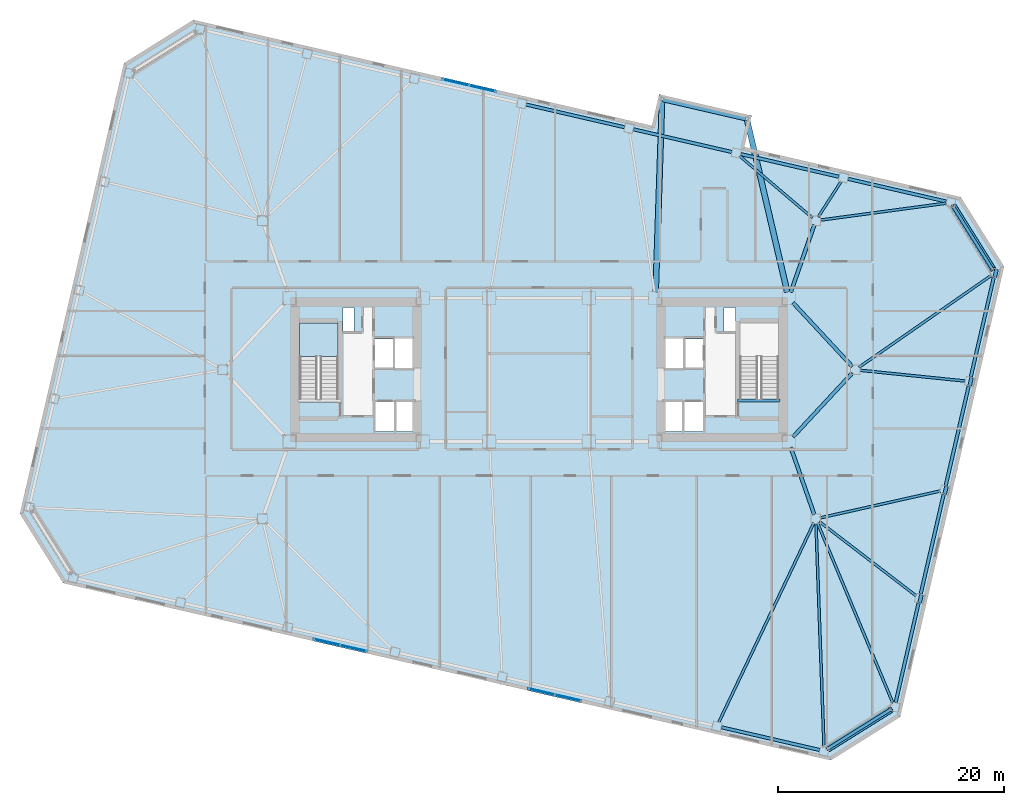
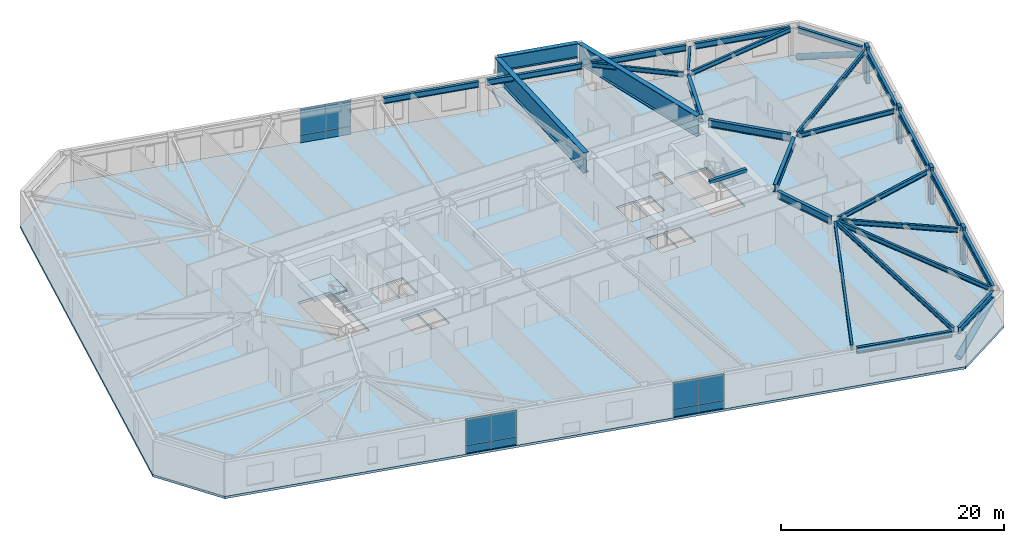
# One storey, part 9 of 20: 29 beams, 12 plates, 6 members, 2 slabs, 4 elements without a shape of their own.
"""IFC4 building model written with IfcOpenShell, lengths in metres."""

import ifcopenshell
import ifcopenshell.guid

model = None  # the IFC model being written
_history = None  # IfcOwnerHistory: only IFC2X3 demands one
_inside = {}  # id of a spatial element -> (the spatial element, [elements in it])
_under = {}  # id of a project, library or spatial element -> (it, [spatial elements below it])
_declared = {}  # id of a project -> (the project, [libraries it declares])
_typed = {}  # id of a type object -> (the type object, [elements of that type])
_made_of = {}  # id of a material, layer set ... -> (it, [elements and type objects made of it])


def new_model(schema):
    """Start an empty IFC model of exactly this schema.

    Asked for "IFC4X3", IfcOpenShell would pick the latest addendum, in which some entities
    have other attributes; the version numbers below select the first issue.
    IFC2X3 requires an IfcOwnerHistory on every rooted entity: one is made here for all.
    """
    global model, _history
    if schema == "IFC4X3":
        model = ifcopenshell.file(schema_version=(4, 3, 0, 0))
    else:
        model = ifcopenshell.file(schema=schema)
    _inside.clear()
    _under.clear()
    _declared.clear()
    _typed.clear()
    _made_of.clear()
    _history = None
    if model.schema == "IFC2X3":
        org = make("IfcOrganization", Name="unknown")
        user = make(
            "IfcPersonAndOrganization",
            ThePerson=make("IfcPerson", FamilyName="unknown"),
            TheOrganization=org,
        )
        app = make(
            "IfcApplication",
            ApplicationDeveloper=org,
            Version="unknown",
            ApplicationFullName="unknown",
            ApplicationIdentifier="unknown",
        )
        _history = make(
            "IfcOwnerHistory",
            OwningUser=user,
            OwningApplication=app,
            ChangeAction="ADDED",
            CreationDate=0,
        )
    return model


def make(cls, **values):
    """One entity of the class cls with the attributes given. An attribute that is None is left unset."""
    return model.create_entity(
        cls, **{name: value for name, value in values.items() if value is not None}
    )


def rooted(cls, **values):
    """An entity with a GlobalId (a new one), such as an element, a storey or a relation."""
    return make(cls, GlobalId=ifcopenshell.guid.new(), OwnerHistory=_history, **values)


def si_unit(unit_type, name, prefix=None):
    """IfcSIUnit, for example si_unit("LENGTHUNIT", "METRE", prefix="MILLI")."""
    return make("IfcSIUnit", UnitType=unit_type, Prefix=prefix, Name=name)


def assignment(units):
    """IfcUnitAssignment: the units of a project."""
    return None if units is None else make("IfcUnitAssignment", Units=units)


def point(xyz):
    """IfcCartesianPoint."""
    return None if xyz is None else make("IfcCartesianPoint", Coordinates=xyz)


def direction(xyz):
    """IfcDirection."""
    return None if xyz is None else make("IfcDirection", DirectionRatios=xyz)


def frame(location, z_axis=None, x_axis=None):
    """IfcAxis2Placement3D, a coordinate frame: its origin and axes. An axis left out is left unset."""
    return make(
        "IfcAxis2Placement3D",
        Location=point(location),
        Axis=direction(z_axis),
        RefDirection=direction(x_axis),
    )


def frame_2d(location, x_axis=None):
    """IfcAxis2Placement2D, a coordinate frame in the plane: its origin and x axis."""
    return make(
        "IfcAxis2Placement2D", Location=point(location), RefDirection=direction(x_axis)
    )


def origin():
    """The frame at (0, 0, 0) with its axes left unset."""
    return frame((0.0, 0.0, 0.0))


def origin_2d():
    """The frame at (0, 0) in the plane with its x axis left unset."""
    return frame_2d((0.0, 0.0))


def place(relative_to, where):
    """IfcLocalPlacement: puts the frame where relative to a parent placement (None: the world)."""
    return make(
        "IfcLocalPlacement", PlacementRelTo=relative_to, RelativePlacement=where
    )


def context(
    kind, dimensions, precision=None, world=None, true_north=None, identifier=None
):
    """IfcGeometricRepresentationContext, for example the 3D "Model" context."""
    return make(
        "IfcGeometricRepresentationContext",
        ContextIdentifier=identifier,
        ContextType=kind,
        CoordinateSpaceDimension=dimensions,
        Precision=precision,
        WorldCoordinateSystem=world,
        TrueNorth=true_north,
    )


def subcontext(parent, identifier, kind, view, scale=None):
    """IfcGeometricRepresentationSubContext, for example "Body" below "Model"."""
    return make(
        "IfcGeometricRepresentationSubContext",
        ContextIdentifier=identifier,
        ContextType=kind,
        ParentContext=parent,
        TargetScale=scale,
        TargetView=view,
    )


def project(units=None, contexts=None):
    """IfcProject with its units and contexts."""
    return rooted(
        "IfcProject",
        Name="project",
        RepresentationContexts=contexts,
        UnitsInContext=assignment(units),
    )


def spatial(cls, under=None, at=None, **own):
    """A site, building, storey or space (cls), placed at a placement, below another one or the project."""
    s = rooted(cls, ObjectPlacement=at, **own)
    if under is not None:
        _under.setdefault(under.id(), (under, []))[1].append(s)
    return s


def polyline(points):
    """IfcPolyline through the points."""
    return make("IfcPolyline", Points=[point(p) for p in points])


def profile(cls, at=None, kind="AREA", **sizes):
    """A parametric profile (cls). Its sizes go by their IFC names, for example OverallWidth=200.0."""
    return make(cls, ProfileType=kind, Position=at, **sizes)


def rectangle(**sizes):
    """IfcRectangleProfileDef."""
    return profile("IfcRectangleProfileDef", **sizes)


def hollow_circle(**sizes):
    """IfcCircleHollowProfileDef."""
    return profile("IfcCircleHollowProfileDef", **sizes)


def i_section(**sizes):
    """IfcIShapeProfileDef."""
    return profile("IfcIShapeProfileDef", **sizes)


def outline(outer, holes=None, kind="AREA"):
    """IfcArbitraryClosedProfileDef: a profile drawn as a closed curve; with holes, ...WithVoids."""
    if holes is None:
        return make("IfcArbitraryClosedProfileDef", ProfileType=kind, OuterCurve=outer)
    return make(
        "IfcArbitraryProfileDefWithVoids",
        ProfileType=kind,
        OuterCurve=outer,
        InnerCurves=holes,
    )


def extrude(swept, where, along, depth):
    """IfcExtrudedAreaSolid: the profile swept, set in the frame where, extruded along a direction by depth."""
    return make(
        "IfcExtrudedAreaSolid",
        SweptArea=swept,
        Position=where,
        ExtrudedDirection=direction(along),
        Depth=depth,
    )


def shape(context_of_items, identifier, shape_type, items):
    """IfcShapeRepresentation: the items that make up one representation, for example the "Body"."""
    return make(
        "IfcShapeRepresentation",
        ContextOfItems=context_of_items,
        RepresentationIdentifier=identifier,
        RepresentationType=shape_type,
        Items=items,
    )


def material(Name=None, Category=None):
    """IfcMaterial."""
    return make("IfcMaterial", Name=Name, Category=Category)


def layer(
    of_material, thickness, ventilated=None, Name=None, Category=None, Priority=None
):
    """IfcMaterialLayer: one layer of a wall or slab, of a material (None: an air gap)."""
    return make(
        "IfcMaterialLayer",
        Material=of_material,
        LayerThickness=thickness,
        IsVentilated=ventilated,
        Name=Name,
        Category=Category,
        Priority=Priority,
    )


def layer_set(layers, Name=None):
    """IfcMaterialLayerSet."""
    return make("IfcMaterialLayerSet", MaterialLayers=layers, LayerSetName=Name)


def material_profile(
    of_material, cross_section, Name=None, Category=None, Priority=None
):
    """IfcMaterialProfile: a cross section and its material."""
    return make(
        "IfcMaterialProfile",
        Name=Name,
        Material=of_material,
        Profile=cross_section,
        Priority=Priority,
        Category=Category,
    )


def profile_set(profiles, Name=None, composite=None):
    """IfcMaterialProfileSet."""
    return make(
        "IfcMaterialProfileSet",
        Name=Name,
        MaterialProfiles=profiles,
        CompositeProfile=composite,
    )


def made_of(thing, what):
    """Note that an element or type object is made of a material, layer set ...; save() writes the relation."""
    if what is not None:
        _made_of.setdefault(what.id(), (what, []))[1].append(thing)
    return thing


def type_object(cls, material=None, **own):
    """A type object (cls), such as IfcWallType, which elements share."""
    return made_of(rooted(cls, **own), material)


def element(
    cls,
    number,
    at=None,
    inside=None,
    cuts=None,
    type_object=None,
    material=None,
    context=None,
    identifier="Body",
    shape_type=None,
    held_by="IfcProductDefinitionShape",
    body=None,
    shapes=None,
    **own,
):
    """One element of the class cls, such as IfcWall. Its Tag is "e" and its number.

    at: its placement. inside: the storey or other place that contains it. cuts: it is an
    opening in that element (IfcRelVoidsElement). A single representation is given by context,
    identifier, shape_type and body (its items); several are given by shapes. held_by: the class
    of the entity that holds the representations. save() writes the other relations.
    """
    e = rooted(cls, Tag="e%d" % number, ObjectPlacement=at, **own)
    if body is not None:
        shapes = [shape(context, identifier, shape_type, body)]
    if shapes is not None:
        e.Representation = make(held_by, Representations=shapes)
    if inside is not None:
        _inside.setdefault(inside.id(), (inside, []))[1].append(e)
    if cuts is not None:
        rooted(
            "IfcRelVoidsElement", RelatingBuildingElement=cuts, RelatedOpeningElement=e
        )
    if type_object is not None:
        _typed.setdefault(type_object.id(), (type_object, []))[1].append(e)
    return made_of(e, material)


def aggregate(whole, parts):
    """IfcRelAggregates: a whole, such as a stair, and the parts it consists of."""
    return rooted("IfcRelAggregates", RelatingObject=whole, RelatedObjects=parts)


def save(model, path):
    """Write the relations noted so far, then the file.

    IfcRelAggregates (storeys below a building ...), IfcRelContainedInSpatialStructure (elements
    in a storey), IfcRelDefinesByType, IfcRelAssociatesMaterial and IfcRelDeclares: one each for
    every whole, place, type object, material and project.
    """
    for whole, parts in _under.values():
        aggregate(whole, parts)
    for where, things in _inside.values():
        rooted(
            "IfcRelContainedInSpatialStructure",
            RelatedElements=things,
            RelatingStructure=where,
        )
    for kind, things in _typed.values():
        rooted("IfcRelDefinesByType", RelatedObjects=things, RelatingType=kind)
    for what, things in _made_of.values():
        rooted("IfcRelAssociatesMaterial", RelatedObjects=things, RelatingMaterial=what)
    for by, libraries in _declared.values():
        rooted("IfcRelDeclares", RelatingContext=by, RelatedDefinitions=libraries)
    model.write(path)


model = new_model("IFC4")

# Units and contexts
model_context = context("Model", 3, precision=1e-05, world=origin(), true_north=direction((0.0, 1.0)))
body_context = subcontext(model_context, "Body", "Model", "MODEL_VIEW")
ifc_project = project(units=[si_unit("LENGTHUNIT", "METRE"), si_unit("AREAUNIT", "SQUARE_METRE"), si_unit("VOLUMEUNIT", "CUBIC_METRE"), si_unit("PLANEANGLEUNIT", "RADIAN"), si_unit("MASSUNIT", "GRAM", prefix="KILO")], contexts=[model_context])

# Site, building, storey
site_placement = place(None, origin())
site = spatial("IfcSite", under=ifc_project, at=site_placement, CompositionType="ELEMENT")
building_placement = place(site_placement, origin())
building = spatial("IfcBuilding", under=site, at=building_placement, Name="Tavrogorsk Clinical Tower", CompositionType="ELEMENT")
storey_placement = place(building_placement, frame((0.0, 0.0, 67.39990234375)))
storey = spatial("IfcBuildingStorey", under=building, at=storey_placement, Name="L14", CompositionType="ELEMENT", Elevation=67.39990234375)

# Members
ifc_material_1 = material(Name="Structural steel S440", Category="steel")
ifc_material_profile_1 = material_profile(ifc_material_1, hollow_circle(Radius=0.304931640625, WallThickness=0.02490234375, at=origin_2d()), Name="CHS-610x25")
ifc_profile_set_1 = profile_set([ifc_material_profile_1], Name="Structural steel S440")
member_type_1 = type_object("IfcMemberType", Name="ExoBrace_CHS610", PredefinedType="BRACE", material=ifc_profile_set_1)
for number, where, z_axis, x_axis, name in (
    (1, (25.56396484375, -33.553955078125, 0.442626953125), (0.794678685861, 0.496570017703, 0.349147538667), (-0.529919005048, 0.848048258113, 0.0), "L14 Corner Exoskeleton Brace S8-E1"),
    (2, (36.65380859375, 14.481689453125, 0.442626953125), (0.496596175948, -0.794664984625, 0.349141518935), (0.848031606927, 0.529945651603, 0.0), "L14 Corner Exoskeleton Brace E5-N1"),
):
    element("IfcMember", number, at=place(storey_placement, frame(where, z_axis=z_axis, x_axis=x_axis)), inside=storey, type_object=member_type_1, Name=name, PredefinedType="BRACE", context=body_context, shape_type="SweptSolid", body=[
        extrude(hollow_circle(Radius=0.304931640625, WallThickness=0.02490234375, at=origin_2d()), origin(), (0.0, 0.0, 1.0), 7.03173828125),
    ])

# Beams
ifc_material_2 = material(Name="Structural steel S355", Category="steel")
ifc_material_profile_2 = material_profile(ifc_material_2, i_section(OverallWidth=0.219970703125, OverallDepth=0.5, WebThickness=0.012939453125, FlangeThickness=0.02001953125, at=origin_2d()), Name="B-500x220x13x20")
ifc_profile_set_2 = profile_set([ifc_material_profile_2], Name="Structural steel S355")
beam_type_1 = type_object("IfcBeamType", Name="FloorBeam_B500", PredefinedType="BEAM", material=ifc_profile_set_2)
beam_1_placement = place(storey_placement, frame((24.323486328125, -13.570068359375, 3.489990234375), z_axis=(-0.430503237889, -0.90258903282, 0.0), x_axis=(0.90258903282, -0.430503237889, 0.0)))
element("IfcBeam", 3, at=beam_1_placement, inside=storey, type_object=beam_type_1, Name="L14 Radial Floor Beam S7", PredefinedType="BEAM", context=body_context, shape_type="SweptSolid", body=[
    extrude(i_section(OverallWidth=0.219970703125, OverallDepth=0.5, WebThickness=0.012939453125, FlangeThickness=0.02001953125, at=origin_2d()), origin(), (0.0, 0.0, 1.0), 19.527587890625),
])
beam_2_placement = place(storey_placement, frame((24.5146484375, -13.609619140625, 3.489990234375), z_axis=(0.035968399295, -0.999352927775, 0.0), x_axis=(0.999352927775, 0.035968399295, 0.0)))
element("IfcBeam", 4, at=beam_2_placement, inside=storey, type_object=beam_type_1, Name="L14 Radial Floor Beam S8", PredefinedType="BEAM", context=body_context, shape_type="SweptSolid", body=[
    extrude(i_section(OverallWidth=0.219970703125, OverallDepth=0.5, WebThickness=0.012939453125, FlangeThickness=0.02001953125, at=origin_2d()), origin(), (0.0, 0.0, 1.0), 19.751953125),
])
beam_3_placement = place(storey_placement, frame((24.90625, 13.254638671875, 3.489990234375), z_axis=(0.991091561022, 0.133182272357, 0.0), x_axis=(-0.133182272357, 0.991091561022, 0.0)))
element("IfcBeam", 5, at=beam_3_placement, inside=storey, type_object=beam_type_1, Name="L14 Radial Floor Beam N1", PredefinedType="BEAM", context=body_context, shape_type="SweptSolid", body=[
    extrude(i_section(OverallWidth=0.219970703125, OverallDepth=0.5, WebThickness=0.012939453125, FlangeThickness=0.02001953125, at=origin_2d()), origin(), (0.0, 0.0, 1.0), 11.24072265625),
])
beam_4_placement = place(storey_placement, frame((24.722412109375, 13.54443359375, 3.489990234375), z_axis=(0.54237908978, 0.840133872052, 0.0), x_axis=(-0.840133872052, 0.54237908978, 0.0)))
element("IfcBeam", 6, at=beam_4_placement, inside=storey, type_object=beam_type_1, Name="L14 Radial Floor Beam N2", PredefinedType="BEAM", context=body_context, shape_type="SweptSolid", body=[
    extrude(i_section(OverallWidth=0.219970703125, OverallDepth=0.5, WebThickness=0.012939453125, FlangeThickness=0.02001953125, at=origin_2d()), origin(), (0.0, 0.0, 1.0), 3.70361328125),
])
beam_5_placement = place(storey_placement, frame((24.187744140625, 13.465576171875, 3.489990234375), z_axis=(-0.761805700094, 0.647805584496, 0.0), x_axis=(-0.647805584496, -0.761805700094, 0.0)))
element("IfcBeam", 7, at=beam_5_placement, inside=storey, type_object=beam_type_1, Name="L14 Radial Floor Beam N3", PredefinedType="BEAM", context=body_context, shape_type="SweptSolid", body=[
    extrude(i_section(OverallWidth=0.219970703125, OverallDepth=0.5, WebThickness=0.012939453125, FlangeThickness=0.02001953125, at=origin_2d()), origin(), (0.0, 0.0, 1.0), 8.431396484375),
])
beam_6_placement = place(storey_placement, frame((24.658447265625, -13.578125, 3.489990234375), z_axis=(0.386243430459, -0.922396884441, 0.0), x_axis=(0.922396884441, 0.386243430459, 0.0)))
element("IfcBeam", 8, at=beam_6_placement, inside=storey, type_object=beam_type_1, Name="L14 Radial Floor Beam E1", PredefinedType="BEAM", context=body_context, shape_type="SweptSolid", body=[
    extrude(i_section(OverallWidth=0.219970703125, OverallDepth=0.5, WebThickness=0.012939453125, FlangeThickness=0.02001953125, at=origin_2d()), origin(), (0.0, 0.0, 1.0), 17.243408203125),
])
beam_7_placement = place(storey_placement, frame((24.825439453125, -13.449462890625, 3.489990234375), z_axis=(0.7934457884, -0.608640929342, 0.0), x_axis=(0.608640929342, 0.7934457884, 0.0)))
element("IfcBeam", 9, at=beam_7_placement, inside=storey, type_object=beam_type_1, Name="L14 Radial Floor Beam E2", PredefinedType="BEAM", context=body_context, shape_type="SweptSolid", body=[
    extrude(i_section(OverallWidth=0.219970703125, OverallDepth=0.5, WebThickness=0.012939453125, FlangeThickness=0.02001953125, at=origin_2d()), origin(), (0.0, 0.0, 1.0), 10.769287109375),
])
beam_8_placement = place(storey_placement, frame((24.900146484375, -13.1103515625, 3.489990234375), z_axis=(0.975844140255, 0.218467878484, 0.0), x_axis=(-0.218467878484, 0.975844140255, 0.0)))
element("IfcBeam", 10, at=beam_8_placement, inside=storey, type_object=beam_type_1, Name="L14 Radial Floor Beam E3", PredefinedType="BEAM", context=body_context, shape_type="SweptSolid", body=[
    extrude(i_section(OverallWidth=0.219970703125, OverallDepth=0.5, WebThickness=0.012939453125, FlangeThickness=0.02001953125, at=origin_2d()), origin(), (0.0, 0.0, 1.0), 10.876708984375),
])
beam_9_placement = place(storey_placement, frame((28.407958984375, -0.041748046875, 3.489990234375), z_axis=(0.994791610226, -0.101929643501, 0.0), x_axis=(0.101929643501, 0.994791610226, 0.0)))
element("IfcBeam", 11, at=beam_9_placement, inside=storey, type_object=beam_type_1, Name="L14 Radial Floor Beam E4", PredefinedType="BEAM", context=body_context, shape_type="SweptSolid", body=[
    extrude(i_section(OverallWidth=0.219970703125, OverallDepth=0.5, WebThickness=0.012939453125, FlangeThickness=0.02001953125, at=origin_2d()), origin(), (0.0, 0.0, 1.0), 9.365234375),
])
beam_10_placement = place(storey_placement, frame((28.3369140625, 0.233642578125, 3.489990234375), z_axis=(0.82154295725, 0.570146620961, 0.0), x_axis=(-0.570146620961, 0.82154295725, 0.0)))
element("IfcBeam", 12, at=beam_10_placement, inside=storey, type_object=beam_type_1, Name="L14 Radial Floor Beam E5", PredefinedType="BEAM", context=body_context, shape_type="SweptSolid", body=[
    extrude(i_section(OverallWidth=0.219970703125, OverallDepth=0.5, WebThickness=0.012939453125, FlangeThickness=0.02001953125, at=origin_2d()), origin(), (0.0, 0.0, 1.0), 14.212646484375),
])

# Members
ifc_material_3 = material(Name="Precast concrete B45 with limestone cladding", Category="masonry")
ifc_material_profile_3 = material_profile(ifc_material_3, rectangle(XDim=0.320068359375, YDim=0.719970703125, at=origin_2d()), Name="LIMESTONE-FIN-320x720")
ifc_profile_set_3 = profile_set([ifc_material_profile_3], Name="Precast concrete B45 with limestone cladding")
member_type_2 = type_object("IfcMemberType", Name="LimestonePleatFin_320x720", PredefinedType="USERDEFINED", material=ifc_profile_set_3)
for number, where, z_axis, x_axis, name in (
    (13, (33.772216796875, -20.2705078125, 0.0), (0.0, 0.0, 1.0), (0.974370064785, -0.224951054344, 0.0), "L14 E Pleated Stone Fin 1"),
    (14, (35.990234375, -10.6630859375, 0.0), (0.0, 0.0, 1.0), (0.974370064785, -0.224951054344, 0.0), "L14 E Pleated Stone Fin 2"),
    (15, (38.208251953125, -1.055908203125, 0.0), (0.0, 0.0, 1.0), (0.974370064785, -0.224951054344, 0.0), "L14 E Pleated Stone Fin 3"),
    (16, (40.42626953125, 8.551513671875, 0.0), (0.0, 0.0, 1.0), (0.974370064785, -0.224951054344, 0.0), "L14 E Pleated Stone Fin 4"),
):
    element("IfcMember", number, at=place(storey_placement, frame(where, z_axis=z_axis, x_axis=x_axis)), inside=storey, type_object=member_type_2, Name=name, ObjectType="FIN", PredefinedType="USERDEFINED", context=body_context, shape_type="SweptSolid", body=[
        extrude(rectangle(XDim=0.320068359375, YDim=0.719970703125, at=origin_2d()), origin(), (0.0, 0.0, 1.0), 4.0),
    ])

# Beams
ifc_material_4 = material(Name="Structural steel S390", Category="steel")
ifc_material_profile_4 = material_profile(ifc_material_4, i_section(OverallWidth=0.320068359375, OverallDepth=0.800048828125, WebThickness=0.02001953125, FlangeThickness=0.033935546875, at=origin_2d()), Name="B-800x320x20x34")
ifc_profile_set_4 = profile_set([ifc_material_profile_4], Name="Structural steel S390")
beam_type_2 = type_object("IfcBeamType", Name="PrimaryGirder_B800", PredefinedType="USERDEFINED", material=ifc_profile_set_4)
for number, where, z_axis, x_axis, name in (
    (17, (24.364501953125, -12.81298828125, 3.340087890625), (-0.330668611543, 0.943746930771, 0.0), (-0.943746930771, -0.330668611543, 0.0), "L14 Spine Link Girder OPG-2"),
    (18, (24.364501953125, 12.81298828125, 3.340087890625), (-0.330668611543, -0.943746930771, 0.0), (0.943746930771, -0.330668611543, 0.0), "L14 Spine Link Girder OPG-4"),
):
    element("IfcBeam", number, at=place(storey_placement, frame(where, z_axis=z_axis, x_axis=x_axis)), inside=storey, type_object=beam_type_2, Name=name, ObjectType="GIRDER", PredefinedType="USERDEFINED", context=body_context, shape_type="SweptSolid", body=[
        extrude(i_section(OverallWidth=0.320068359375, OverallDepth=0.800048828125, WebThickness=0.02001953125, FlangeThickness=0.033935546875, at=origin_2d()), origin(), (0.0, 0.0, 1.0), 6.288330078125),
    ])
for number, where, z_axis, x_axis, name in (
    (19, (27.720947265625, -0.30029296875, 3.340087890625), (-0.680671250221, -0.732589004233, 0.0), (0.732589004233, -0.680671250221, 0.0), "L14 Spine Link Girder OPG-7"),
    (20, (27.720947265625, 0.30029296875, 3.340087890625), (-0.680671250221, 0.732589004233, 0.0), (-0.732589004233, -0.680671250221, 0.0), "L14 Spine Link Girder OPG-8"),
):
    element("IfcBeam", number, at=place(storey_placement, frame(where, z_axis=z_axis, x_axis=x_axis)), inside=storey, type_object=beam_type_2, Name=name, ObjectType="GIRDER", PredefinedType="USERDEFINED", context=body_context, shape_type="SweptSolid", body=[
        extrude(i_section(OverallWidth=0.320068359375, OverallDepth=0.800048828125, WebThickness=0.02001953125, FlangeThickness=0.033935546875, at=origin_2d()), origin(), (0.0, 0.0, 1.0), 7.697998046875),
    ])
ifc_material_5 = material(Name="Structural steel S390", Category="steel")
ifc_material_profile_5 = material_profile(ifc_material_5, i_section(OverallWidth=0.280029296875, OverallDepth=0.64990234375, WebThickness=0.01611328125, FlangeThickness=0.02490234375, at=origin_2d()), Name="B-650x280x16x25")
ifc_profile_set_5 = profile_set([ifc_material_profile_5], Name="Structural steel S390")
beam_type_3 = type_object("IfcBeamType", Name="SpandrelBeam_B650", PredefinedType="SPANDREL", material=ifc_profile_set_5)
beam_11_placement = place(storey_placement, frame((16.138427734375, -31.655517578125, 3.4150390625), z_axis=(0.974372766602, -0.224939351168, 0.0), x_axis=(0.224939351168, 0.974372766602, 0.0)))
element("IfcBeam", 21, at=beam_11_placement, inside=storey, type_object=beam_type_3, Name="L14 Perimeter Spandrel S7-S8", PredefinedType="SPANDREL", context=body_context, shape_type="SweptSolid", body=[
    extrude(i_section(OverallWidth=0.280029296875, OverallDepth=0.64990234375, WebThickness=0.01611328125, FlangeThickness=0.02490234375, at=origin_2d()), origin(), (0.0, 0.0, 1.0), 8.9326171875),
])
beam_12_placement = place(storey_placement, frame((25.585693359375, -33.540283203125, 3.4150390625), z_axis=(0.848061235793, 0.529898235839, 0.0), x_axis=(-0.529898235839, 0.848061235793, 0.0)))
element("IfcBeam", 22, at=beam_12_placement, inside=storey, type_object=beam_type_3, Name="L14 Perimeter Spandrel S8-E1", PredefinedType="SPANDREL", context=body_context, shape_type="SweptSolid", body=[
    extrude(i_section(OverallWidth=0.280029296875, OverallDepth=0.64990234375, WebThickness=0.01611328125, FlangeThickness=0.02490234375, at=origin_2d()), origin(), (0.0, 0.0, 1.0), 6.537841796875),
])
beam_13_placement = place(storey_placement, frame((31.56787109375, -29.462158203125, 3.4150390625), z_axis=(0.224971881043, 0.974365256328, 0.0), x_axis=(-0.974365256328, 0.224971881043, 0.0)))
element("IfcBeam", 23, at=beam_13_placement, inside=storey, type_object=beam_type_3, Name="L14 Perimeter Spandrel E1-E2", PredefinedType="SPANDREL", context=body_context, shape_type="SweptSolid", body=[
    extrude(i_section(OverallWidth=0.280029296875, OverallDepth=0.64990234375, WebThickness=0.01611328125, FlangeThickness=0.02490234375, at=origin_2d()), origin(), (0.0, 0.0, 1.0), 9.044189453125),
])
for number, where, z_axis, x_axis, name in (
    (24, (33.785888671875, -19.85498046875, 3.4150390625), (0.224946252597, 0.974371173343, 0.0), (-0.974371173343, 0.224946252597, 0.0), "L14 Perimeter Spandrel E2-E3"),
    (25, (36.00390625, -10.24755859375, 3.4150390625), (0.224946252597, 0.974371173343, 0.0), (-0.974371173343, 0.224946252597, 0.0), "L14 Perimeter Spandrel E3-E4"),
):
    element("IfcBeam", number, at=place(storey_placement, frame(where, z_axis=z_axis, x_axis=x_axis)), inside=storey, type_object=beam_type_3, Name=name, PredefinedType="SPANDREL", context=body_context, shape_type="SweptSolid", body=[
        extrude(i_section(OverallWidth=0.280029296875, OverallDepth=0.64990234375, WebThickness=0.01611328125, FlangeThickness=0.02490234375, at=origin_2d()), origin(), (0.0, 0.0, 1.0), 9.0439453125),
    ])
beam_14_placement = place(storey_placement, frame((38.221923828125, -0.640380859375, 3.4150390625), z_axis=(0.224971881043, 0.974365256328, 0.0), x_axis=(-0.974365256328, 0.224971881043, 0.0)))
element("IfcBeam", 26, at=beam_14_placement, inside=storey, type_object=beam_type_3, Name="L14 Perimeter Spandrel E4-E5", PredefinedType="SPANDREL", context=body_context, shape_type="SweptSolid", body=[
    extrude(i_section(OverallWidth=0.280029296875, OverallDepth=0.64990234375, WebThickness=0.01611328125, FlangeThickness=0.02490234375, at=origin_2d()), origin(), (0.0, 0.0, 1.0), 9.044189453125),
])
beam_15_placement = place(storey_placement, frame((40.132080078125, 8.91552734375, 3.4150390625), z_axis=(-0.529925092475, 0.848044454239, 0.0), x_axis=(-0.848044454239, -0.529925092475, 0.0)))
element("IfcBeam", 27, at=beam_15_placement, inside=storey, type_object=beam_type_3, Name="L14 Perimeter Spandrel E5-N1", PredefinedType="SPANDREL", context=body_context, shape_type="SweptSolid", body=[
    extrude(i_section(OverallWidth=0.280029296875, OverallDepth=0.64990234375, WebThickness=0.01611328125, FlangeThickness=0.02490234375, at=origin_2d()), origin(), (0.0, 0.0, 1.0), 6.537841796875),
])
for number, where, z_axis, x_axis, name in (
    (28, (36.0537109375, 14.897705078125, 3.4150390625), (-0.974366775889, 0.224965299645, 0.0), (-0.224965299645, -0.974366775889, 0.0), "L14 Perimeter Spandrel N1-N2"),
    (29, (26.554931640625, 17.090576171875, 3.4150390625), (-0.974366775889, 0.224965299645, 0.0), (-0.224965299645, -0.974366775889, 0.0), "L14 Perimeter Spandrel N2-N3"),
    (30, (17.056396484375, 19.28369140625, 3.4150390625), (-0.974372766602, 0.224939351168, 0.0), (-0.224939351168, -0.974372766602, 0.0), "L14 Perimeter Spandrel N3-N4"),
    (31, (7.5576171875, 21.4765625, 3.4150390625), (-0.974366775889, 0.224965299645, 0.0), (-0.224965299645, -0.974366775889, 0.0), "L14 Perimeter Spandrel N4-N5"),
):
    element("IfcBeam", number, at=place(storey_placement, frame(where, z_axis=z_axis, x_axis=x_axis)), inside=storey, type_object=beam_type_3, Name=name, PredefinedType="SPANDREL", context=body_context, shape_type="SweptSolid", body=[
        extrude(i_section(OverallWidth=0.280029296875, OverallDepth=0.64990234375, WebThickness=0.01611328125, FlangeThickness=0.02490234375, at=origin_2d()), origin(), (0.0, 0.0, 1.0), 8.9326171875),
    ])
ifc_material_6 = material(Name="Concrete B60", Category="concrete")
ifc_material_profile_6 = material_profile(ifc_material_6, rectangle(XDim=0.300048828125, YDim=0.35009765625, at=origin_2d()), Name="RC-SHB-300x350")
ifc_profile_set_6 = profile_set([ifc_material_profile_6], Name="Concrete B60")
beam_type_4 = type_object("IfcBeamType", Name="StairHeaderBeam_RC300x350", PredefinedType="BEAM", material=ifc_profile_set_6)
beam_16_placement = place(storey_placement, frame((17.550048828125, -2.719970703125, 3.8251953125), z_axis=(1.0, 0.0, 0.0), x_axis=(0.0, 1.0, 0.0)))
element("IfcBeam", 32, at=beam_16_placement, inside=storey, type_object=beam_type_4, Name="L15 ST-E Landing Header Beam", PredefinedType="BEAM", context=body_context, shape_type="SweptSolid", body=[
    extrude(rectangle(XDim=0.300048828125, YDim=0.35009765625, at=origin_2d()), origin(), (0.0, 0.0, 1.0), 3.800048828125),
])
ifc_material_7 = material(Name="Structural steel S440", Category="steel")
ifc_material_profile_7 = material_profile(ifc_material_7, i_section(OverallWidth=0.449951171875, OverallDepth=1.60009765625, WebThickness=0.031982421875, FlangeThickness=0.050048828125, at=origin_2d()), Name="DK-1600x450x32x50")
ifc_profile_set_7 = profile_set([ifc_material_profile_7], Name="Structural steel S440")
beam_type_5 = type_object("IfcBeamType", Name="TransferGirder_DK1600", PredefinedType="USERDEFINED", material=ifc_profile_set_7)
beam_17_placement = place(storey_placement, frame((11.0048828125, 23.9443359375, 2.940185546875), z_axis=(0.974374645804, -0.224931210849, 0.0), x_axis=(0.224931210849, 0.974374645804, 0.0)))
element("IfcBeam", 33, at=beam_17_placement, inside=storey, type_object=beam_type_5, Name="L14 Day-Room Front Edge Beam DRB-02", ObjectType="GIRDER", PredefinedType="USERDEFINED", context=body_context, shape_type="SweptSolid", body=[
    extrude(i_section(OverallWidth=0.449951171875, OverallDepth=1.60009765625, WebThickness=0.031982421875, FlangeThickness=0.050048828125, at=origin_2d()), origin(), (0.0, 0.0, 1.0), 7.4599609375),
])
ifc_material_8 = material(Name="Structural steel S440", Category="steel")
ifc_material_profile_8 = material_profile(ifc_material_8, i_section(OverallWidth=0.5, OverallDepth=2.199951171875, WebThickness=0.035888671875, FlangeThickness=0.054931640625, at=origin_2d()), Name="DK-2200x500x36x55")
ifc_profile_set_8 = profile_set([ifc_material_profile_8], Name="Structural steel S440")
beam_type_6 = type_object("IfcBeamType", Name="TransferGirder_DK2200", PredefinedType="USERDEFINED", material=ifc_profile_set_8)
beam_18_placement = place(storey_placement, frame((10.318603515625, 6.90966796875, 2.64013671875), z_axis=(0.033352279272, 0.999443657975, 0.0), x_axis=(-0.999443657975, 0.033352279272, 0.0)))
element("IfcBeam", 34, at=beam_18_placement, inside=storey, type_object=beam_type_6, Name="L14 Day-Room Cantilever Beam DRB-02-L", ObjectType="GIRDER", PredefinedType="USERDEFINED", context=body_context, shape_type="SweptSolid", body=[
    extrude(i_section(OverallWidth=0.5, OverallDepth=2.199951171875, WebThickness=0.035888671875, FlangeThickness=0.054931640625, at=origin_2d()), origin(), (0.0, 0.0, 1.0), 16.931396484375),
])
beam_19_placement = place(storey_placement, frame((21.97265625, 6.895263671875, 2.64013671875), z_axis=(-0.227339821684, 0.973815488415, 0.0), x_axis=(-0.973815488415, -0.227339821684, 0.0)))
element("IfcBeam", 35, at=beam_19_placement, inside=storey, type_object=beam_type_6, Name="L14 Day-Room Cantilever Beam DRB-02-R", ObjectType="GIRDER", PredefinedType="USERDEFINED", context=body_context, shape_type="SweptSolid", body=[
    extrude(i_section(OverallWidth=0.5, OverallDepth=2.199951171875, WebThickness=0.035888671875, FlangeThickness=0.054931640625, at=origin_2d()), origin(), (0.0, 0.0, 1.0), 15.61669921875),
])

# Curtain wall, plates
ifc_material_9 = material(Name="Anodised aluminium and triple IGU glazing", Category="aluminium")
ifc_layer_1 = layer(ifc_material_9, 0.179931640625)
ifc_layer_set_1 = layer_set([ifc_layer_1], Name="Anodised aluminium and triple IGU glazing")
curtain_wall_type_1 = type_object("IfcCurtainWallType", Name="CW3_SouthSlot", PredefinedType="NOTDEFINED", material=ifc_layer_set_1)
curtain_wall_1_placement = place(storey_placement, origin())
curtain_wall_1 = element("IfcCurtainWall", 36, at=curtain_wall_1_placement, inside=storey, type_object=curtain_wall_type_1, Name="L14 Curtain Wall CW-L14-S-SLOT-1", PredefinedType="NOTDEFINED")
ifc_material_10 = material(Name="Honed Podolsk limestone spandrel panel", Category="masonry")
ifc_layer_2 = layer(ifc_material_10, 0.080078125)
ifc_layer_set_2 = layer_set([ifc_layer_2], Name="Honed Podolsk limestone spandrel panel")
plate_type_1 = type_object("IfcPlateType", Name="CwSpandrelStonePanel_80", PredefinedType="CURTAIN_PANEL", material=ifc_layer_set_2)
plate_1_placement = place(storey_placement, frame((-18.79638671875, -24.113525390625, 0.002197265625), z_axis=(0.0, 0.0, 1.0), x_axis=(0.974370046851, -0.224951132027, 0.0)))
plate_1 = element("IfcPlate", 37, at=plate_1_placement, type_object=plate_type_1, Name="CW-L14-S-SLOT-1 Stone Spandrel Panel 1", PredefinedType="CURTAIN_PANEL", context=body_context, shape_type="SweptSolid", body=[
    extrude(rectangle(XDim=2.39208984375, YDim=0.080078125, at=origin_2d()), origin(), (0.0, 0.0, 1.0), 0.8359375),
])
plate_2_placement = place(storey_placement, frame((-16.442138671875, -24.656982421875, 0.002197265625), z_axis=(0.0, 0.0, 1.0), x_axis=(0.974370046851, -0.224951132027, 0.0)))
plate_2 = element("IfcPlate", 38, at=plate_2_placement, type_object=plate_type_1, Name="CW-L14-S-SLOT-1 Stone Spandrel Panel 2", PredefinedType="CURTAIN_PANEL", context=body_context, shape_type="SweptSolid", body=[
    extrude(rectangle(XDim=2.39208984375, YDim=0.080078125, at=origin_2d()), origin(), (0.0, 0.0, 1.0), 0.8359375),
])

curtain_wall_2_placement = place(storey_placement, origin())
curtain_wall_2 = element("IfcCurtainWall", 39, at=curtain_wall_2_placement, inside=storey, type_object=curtain_wall_type_1, Name="L14 Curtain Wall CW-L14-S-SLOT-2", PredefinedType="NOTDEFINED")
plate_3_placement = place(storey_placement, frame((0.201171875, -28.49951171875, 0.002197265625), z_axis=(0.0, 0.0, 1.0), x_axis=(0.974370102963, -0.224950888978, 0.0)))
plate_3 = element("IfcPlate", 40, at=plate_3_placement, type_object=plate_type_1, Name="CW-L14-S-SLOT-2 Stone Spandrel Panel 1", PredefinedType="CURTAIN_PANEL", context=body_context, shape_type="SweptSolid", body=[
    extrude(rectangle(XDim=2.39208984375, YDim=0.080078125, at=origin_2d()), origin(), (0.0, 0.0, 1.0), 0.8359375),
])
plate_4_placement = place(storey_placement, frame((2.55517578125, -29.04296875, 0.002197265625), z_axis=(0.0, 0.0, 1.0), x_axis=(0.974370102963, -0.224950888978, 0.0)))
plate_4 = element("IfcPlate", 41, at=plate_4_placement, type_object=plate_type_1, Name="CW-L14-S-SLOT-2 Stone Spandrel Panel 2", PredefinedType="CURTAIN_PANEL", context=body_context, shape_type="SweptSolid", body=[
    extrude(rectangle(XDim=2.39208984375, YDim=0.080078125, at=origin_2d()), origin(), (0.0, 0.0, 1.0), 0.8359375),
])

ifc_material_11 = material(Name="Anodised aluminium and triple IGU glazing", Category="aluminium")
ifc_layer_3 = layer(ifc_material_11, 0.179931640625)
ifc_layer_set_3 = layer_set([ifc_layer_3], Name="Anodised aluminium and triple IGU glazing")
curtain_wall_type_2 = type_object("IfcCurtainWallType", Name="CW2_NorthSlot", PredefinedType="NOTDEFINED", material=ifc_layer_set_3)
curtain_wall_3_placement = place(storey_placement, origin())
curtain_wall_3 = element("IfcCurtainWall", 42, at=curtain_wall_3_placement, inside=storey, type_object=curtain_wall_type_2, Name="L14 Curtain Wall CW-L14-N-SLOT-1", PredefinedType="NOTDEFINED")
plate_5_placement = place(storey_placement, frame((-5.001220703125, 24.8994140625, 0.002197265625), z_axis=(0.0, 0.0, 1.0), x_axis=(-0.974370102963, 0.224950888978, 0.0)))
plate_5 = element("IfcPlate", 43, at=plate_5_placement, type_object=plate_type_1, Name="CW-L14-N-SLOT-1 Stone Spandrel Panel 1", PredefinedType="CURTAIN_PANEL", context=body_context, shape_type="SweptSolid", body=[
    extrude(rectangle(XDim=2.39208984375, YDim=0.080078125, at=origin_2d()), origin(), (0.0, 0.0, 1.0), 0.8359375),
])
plate_6_placement = place(storey_placement, frame((-7.355224609375, 25.44287109375, 0.002197265625), z_axis=(0.0, 0.0, 1.0), x_axis=(-0.974370102963, 0.224950888978, 0.0)))
plate_6 = element("IfcPlate", 44, at=plate_6_placement, type_object=plate_type_1, Name="CW-L14-N-SLOT-1 Stone Spandrel Panel 2", PredefinedType="CURTAIN_PANEL", context=body_context, shape_type="SweptSolid", body=[
    extrude(rectangle(XDim=2.39208984375, YDim=0.080078125, at=origin_2d()), origin(), (0.0, 0.0, 1.0), 0.8359375),
])

# Plate
ifc_material_12 = material(Name="Triple low-E argon insulated glass", Category="glass")
ifc_layer_4 = layer(ifc_material_12, 0.048095703125)
ifc_layer_set_4 = layer_set([ifc_layer_4], Name="Triple low-E argon insulated glass")
plate_type_2 = type_object("IfcPlateType", Name="CwVisionGlassPanel_48", PredefinedType="CURTAIN_PANEL", material=ifc_layer_set_4)
plate_7_placement = place(storey_placement, frame((-18.79638671875, -24.113525390625, 0.862060546875), z_axis=(0.0, 0.0, 1.0), x_axis=(0.974370046851, -0.224951132027, 0.0)))
plate_7 = element("IfcPlate", 45, at=plate_7_placement, type_object=plate_type_2, Name="CW-L14-S-SLOT-1 Glazing Panel 1", PredefinedType="CURTAIN_PANEL", context=body_context, shape_type="SweptSolid", body=[
    extrude(rectangle(XDim=2.39208984375, YDim=0.048095703125, at=origin_2d()), origin(), (0.0, 0.0, 1.0), 2.8759765625),
])

plate_8_placement = place(storey_placement, frame((-16.442138671875, -24.656982421875, 0.862060546875), z_axis=(0.0, 0.0, 1.0), x_axis=(0.974370046851, -0.224951132027, 0.0)))
plate_8 = element("IfcPlate", 46, at=plate_8_placement, type_object=plate_type_2, Name="CW-L14-S-SLOT-1 Glazing Panel 2", PredefinedType="CURTAIN_PANEL", context=body_context, shape_type="SweptSolid", body=[
    extrude(rectangle(XDim=2.39208984375, YDim=0.048095703125, at=origin_2d()), origin(), (0.0, 0.0, 1.0), 2.8759765625),
])

aggregate(curtain_wall_1, [plate_1, plate_7, plate_2, plate_8])

plate_9_placement = place(storey_placement, frame((0.201171875, -28.49951171875, 0.862060546875), z_axis=(0.0, 0.0, 1.0), x_axis=(0.974370102963, -0.224950888978, 0.0)))
plate_9 = element("IfcPlate", 47, at=plate_9_placement, type_object=plate_type_2, Name="CW-L14-S-SLOT-2 Glazing Panel 1", PredefinedType="CURTAIN_PANEL", context=body_context, shape_type="SweptSolid", body=[
    extrude(rectangle(XDim=2.39208984375, YDim=0.048095703125, at=origin_2d()), origin(), (0.0, 0.0, 1.0), 2.8759765625),
])

plate_10_placement = place(storey_placement, frame((2.55517578125, -29.04296875, 0.862060546875), z_axis=(0.0, 0.0, 1.0), x_axis=(0.974370102963, -0.224950888978, 0.0)))
plate_10 = element("IfcPlate", 48, at=plate_10_placement, type_object=plate_type_2, Name="CW-L14-S-SLOT-2 Glazing Panel 2", PredefinedType="CURTAIN_PANEL", context=body_context, shape_type="SweptSolid", body=[
    extrude(rectangle(XDim=2.39208984375, YDim=0.048095703125, at=origin_2d()), origin(), (0.0, 0.0, 1.0), 2.8759765625),
])

aggregate(curtain_wall_2, [plate_3, plate_9, plate_4, plate_10])

plate_11_placement = place(storey_placement, frame((-5.001220703125, 24.8994140625, 0.862060546875), z_axis=(0.0, 0.0, 1.0), x_axis=(-0.974370102963, 0.224950888978, 0.0)))
plate_11 = element("IfcPlate", 49, at=plate_11_placement, type_object=plate_type_2, Name="CW-L14-N-SLOT-1 Glazing Panel 1", PredefinedType="CURTAIN_PANEL", context=body_context, shape_type="SweptSolid", body=[
    extrude(rectangle(XDim=2.39208984375, YDim=0.048095703125, at=origin_2d()), origin(), (0.0, 0.0, 1.0), 2.8759765625),
])

plate_12_placement = place(storey_placement, frame((-7.355224609375, 25.44287109375, 0.862060546875), z_axis=(0.0, 0.0, 1.0), x_axis=(-0.974370102963, 0.224950888978, 0.0)))
plate_12 = element("IfcPlate", 50, at=plate_12_placement, type_object=plate_type_2, Name="CW-L14-N-SLOT-1 Glazing Panel 2", PredefinedType="CURTAIN_PANEL", context=body_context, shape_type="SweptSolid", body=[
    extrude(rectangle(XDim=2.39208984375, YDim=0.048095703125, at=origin_2d()), origin(), (0.0, 0.0, 1.0), 2.8759765625),
])

aggregate(curtain_wall_3, [plate_5, plate_11, plate_6, plate_12])

# Stair, slab
ifc_material_13 = material(Name="Concrete B60", Category="concrete")
stair_type = type_object("IfcStairType", Name="CoreStairAssembly", PredefinedType="HALF_TURN_STAIR", material=ifc_material_13)
stair_placement = place(storey_placement, origin())
stair = element("IfcStair", 51, at=stair_placement, inside=storey, type_object=stair_type, Name="L14 ST-W", PredefinedType="HALF_TURN_STAIR")
ifc_material_14 = material(Name="Concrete B60", Category="concrete")
ifc_layer_5 = layer(ifc_material_14, 0.199951171875)
ifc_layer_set_5 = layer_set([ifc_layer_5], Name="Concrete B60")
slab_type_1 = type_object("IfcSlabType", Name="StairLanding_200", PredefinedType="LANDING", material=ifc_layer_set_5)
slab_1_placement = place(storey_placement, frame((0.0, 0.0, 1.800048828125)))
slab_1 = element("IfcSlab", 52, at=slab_1_placement, type_object=slab_type_1, Name="ST-W landing 1", PredefinedType="LANDING", context=body_context, shape_type="SweptSolid", body=[
    extrude(outline(polyline([(-17.800048828125, 1.1650390625), (-17.800048828125, 4.125), (-21.199951171875, 4.125), (-21.199951171875, 1.1650390625), (-17.800048828125, 1.1650390625)])), origin(), (0.0, 0.0, 1.0), 0.199951171875),
])
aggregate(stair, [slab_1])

# Slab
ifc_material_15 = material(Name="Concrete B60", Category="concrete")
ifc_layer_6 = layer(ifc_material_15, 0.260009765625)
ifc_layer_set_6 = layer_set([ifc_layer_6], Name="Concrete B60")
slab_type_2 = type_object("IfcSlabType", Name="WardSlab_260", PredefinedType="FLOOR", material=ifc_layer_set_6)
slab_2_placement = place(storey_placement, frame((0.0, 0.0, -0.260009765625)))
element("IfcSlab", 53, at=slab_2_placement, inside=storey, type_object=slab_type_2, Name="L14 Structural Slab", PredefinedType="FLOOR", context=body_context, shape_type="SweptSolid", body=[
    extrude(outline(polyline([(37.266845703125, 15.315673828125), (41.163818359375, 9.0791015625), (31.98583984375, -30.67529296875), (25.749267578125, -34.572265625), (-42.06689453125, -18.91552734375), (-45.9638671875, -12.67919921875), (-36.785888671875, 27.0751953125), (-30.54931640625, 30.97216796875), (9.984619140625, 21.6142578125), (10.62548828125, 24.39111328125), (18.810302734375, 22.501708984375), (18.169189453125, 19.724609375), (37.266845703125, 15.315673828125)]), holes=[polyline([(-17.800048828125, -2.8798828125), (-17.800048828125, 4.125), (-21.199951171875, 4.125), (-21.199951171875, -2.8798828125), (-17.800048828125, -2.8798828125)]), polyline([(21.199951171875, -2.8798828125), (21.199951171875, 4.125), (17.800048828125, 4.125), (17.800048828125, -2.8798828125), (21.199951171875, -2.8798828125)]), polyline([(-14.6201171875, 0.169921875), (-12.860107421875, 0.169921875), (-12.860107421875, 2.72998046875), (-14.6201171875, 2.72998046875), (-14.6201171875, 0.169921875)]), polyline([(-14.530029296875, -5.47998046875), (-12.77001953125, -5.47998046875), (-12.77001953125, -2.820068359375), (-14.530029296875, -2.820068359375), (-14.530029296875, -5.47998046875)]), polyline([(-12.72998046875, -5.47998046875), (-10.969970703125, -5.47998046875), (-10.969970703125, -2.820068359375), (-12.72998046875, -2.820068359375), (-12.72998046875, -5.47998046875)]), polyline([(-12.840087890625, 0.1201171875), (-11.080078125, 0.1201171875), (-11.080078125, 2.780029296875), (-12.840087890625, 2.780029296875), (-12.840087890625, 0.1201171875)]), polyline([(12.860107421875, 0.169921875), (14.6201171875, 0.169921875), (14.6201171875, 2.72998046875), (12.860107421875, 2.72998046875), (12.860107421875, 0.169921875)]), polyline([(12.77001953125, -5.47998046875), (14.530029296875, -5.47998046875), (14.530029296875, -2.820068359375), (12.77001953125, -2.820068359375), (12.77001953125, -5.47998046875)]), polyline([(10.969970703125, -5.47998046875), (12.72998046875, -5.47998046875), (12.72998046875, -2.820068359375), (10.969970703125, -2.820068359375), (10.969970703125, -5.47998046875)]), polyline([(11.080078125, 0.1201171875), (12.840087890625, 0.1201171875), (12.840087890625, 2.780029296875), (11.080078125, 2.780029296875), (11.080078125, 0.1201171875)]), polyline([(-17.3798828125, 3.449951171875), (-16.3798828125, 3.449951171875), (-16.3798828125, 5.5), (-17.3798828125, 5.5), (-17.3798828125, 3.449951171875)]), polyline([(16.3798828125, 3.449951171875), (17.3798828125, 3.449951171875), (17.3798828125, 5.5), (16.3798828125, 5.5), (16.3798828125, 3.449951171875)])]), origin(), (0.0, 0.0, 1.0), 0.260009765625),
])

save(model, "model.ifc")
